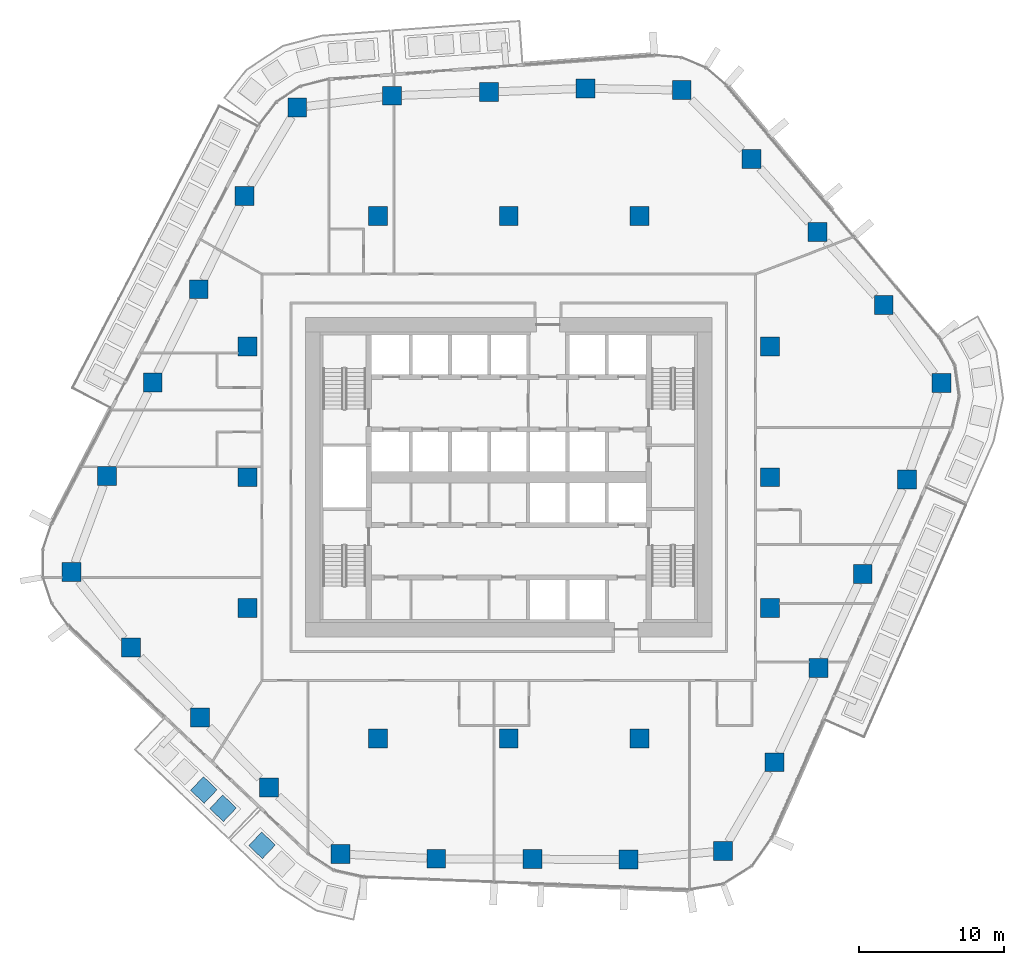
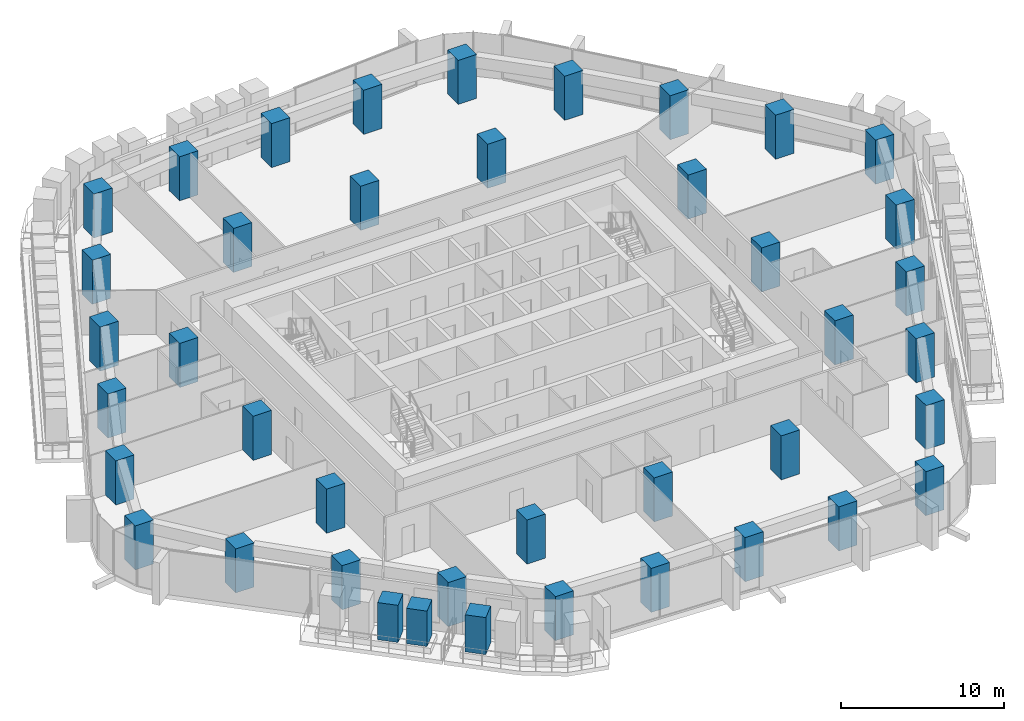
# One storey, part 1 of 23: 38 columns, 3 members.
"""IFC4 building model written with IfcOpenShell, lengths in metres."""

import ifcopenshell
import ifcopenshell.guid

model = None  # the IFC model being written
_history = None  # IfcOwnerHistory: only IFC2X3 demands one
_inside = {}  # id of a spatial element -> (the spatial element, [elements in it])
_under = {}  # id of a project, library or spatial element -> (it, [spatial elements below it])
_declared = {}  # id of a project -> (the project, [libraries it declares])
_typed = {}  # id of a type object -> (the type object, [elements of that type])
_made_of = {}  # id of a material, layer set ... -> (it, [elements and type objects made of it])


def new_model(schema):
    """Start an empty IFC model of exactly this schema.

    Asked for "IFC4X3", IfcOpenShell would pick the latest addendum, in which some entities
    have other attributes; the version numbers below select the first issue.
    IFC2X3 requires an IfcOwnerHistory on every rooted entity: one is made here for all.
    """
    global model, _history
    if schema == "IFC4X3":
        model = ifcopenshell.file(schema_version=(4, 3, 0, 0))
    else:
        model = ifcopenshell.file(schema=schema)
    _inside.clear()
    _under.clear()
    _declared.clear()
    _typed.clear()
    _made_of.clear()
    _history = None
    if model.schema == "IFC2X3":
        org = make("IfcOrganization", Name="unknown")
        user = make(
            "IfcPersonAndOrganization",
            ThePerson=make("IfcPerson", FamilyName="unknown"),
            TheOrganization=org,
        )
        app = make(
            "IfcApplication",
            ApplicationDeveloper=org,
            Version="unknown",
            ApplicationFullName="unknown",
            ApplicationIdentifier="unknown",
        )
        _history = make(
            "IfcOwnerHistory",
            OwningUser=user,
            OwningApplication=app,
            ChangeAction="ADDED",
            CreationDate=0,
        )
    return model


def make(cls, **values):
    """One entity of the class cls with the attributes given. An attribute that is None is left unset."""
    return model.create_entity(
        cls, **{name: value for name, value in values.items() if value is not None}
    )


def rooted(cls, **values):
    """An entity with a GlobalId (a new one), such as an element, a storey or a relation."""
    return make(cls, GlobalId=ifcopenshell.guid.new(), OwnerHistory=_history, **values)


def si_unit(unit_type, name, prefix=None):
    """IfcSIUnit, for example si_unit("LENGTHUNIT", "METRE", prefix="MILLI")."""
    return make("IfcSIUnit", UnitType=unit_type, Prefix=prefix, Name=name)


def assignment(units):
    """IfcUnitAssignment: the units of a project."""
    return None if units is None else make("IfcUnitAssignment", Units=units)


def point(xyz):
    """IfcCartesianPoint."""
    return None if xyz is None else make("IfcCartesianPoint", Coordinates=xyz)


def direction(xyz):
    """IfcDirection."""
    return None if xyz is None else make("IfcDirection", DirectionRatios=xyz)


def frame(location, z_axis=None, x_axis=None):
    """IfcAxis2Placement3D, a coordinate frame: its origin and axes. An axis left out is left unset."""
    return make(
        "IfcAxis2Placement3D",
        Location=point(location),
        Axis=direction(z_axis),
        RefDirection=direction(x_axis),
    )


def frame_2d(location, x_axis=None):
    """IfcAxis2Placement2D, a coordinate frame in the plane: its origin and x axis."""
    return make(
        "IfcAxis2Placement2D", Location=point(location), RefDirection=direction(x_axis)
    )


def origin():
    """The frame at (0, 0, 0) with its axes left unset."""
    return frame((0.0, 0.0, 0.0))


def origin_2d():
    """The frame at (0, 0) in the plane with its x axis left unset."""
    return frame_2d((0.0, 0.0))


def place(relative_to, where):
    """IfcLocalPlacement: puts the frame where relative to a parent placement (None: the world)."""
    return make(
        "IfcLocalPlacement", PlacementRelTo=relative_to, RelativePlacement=where
    )


def context(
    kind, dimensions, precision=None, world=None, true_north=None, identifier=None
):
    """IfcGeometricRepresentationContext, for example the 3D "Model" context."""
    return make(
        "IfcGeometricRepresentationContext",
        ContextIdentifier=identifier,
        ContextType=kind,
        CoordinateSpaceDimension=dimensions,
        Precision=precision,
        WorldCoordinateSystem=world,
        TrueNorth=true_north,
    )


def subcontext(parent, identifier, kind, view, scale=None):
    """IfcGeometricRepresentationSubContext, for example "Body" below "Model"."""
    return make(
        "IfcGeometricRepresentationSubContext",
        ContextIdentifier=identifier,
        ContextType=kind,
        ParentContext=parent,
        TargetScale=scale,
        TargetView=view,
    )


def project(units=None, contexts=None):
    """IfcProject with its units and contexts."""
    return rooted(
        "IfcProject",
        Name="project",
        RepresentationContexts=contexts,
        UnitsInContext=assignment(units),
    )


def spatial(cls, under=None, at=None, **own):
    """A site, building, storey or space (cls), placed at a placement, below another one or the project."""
    s = rooted(cls, ObjectPlacement=at, **own)
    if under is not None:
        _under.setdefault(under.id(), (under, []))[1].append(s)
    return s


def profile(cls, at=None, kind="AREA", **sizes):
    """A parametric profile (cls). Its sizes go by their IFC names, for example OverallWidth=200.0."""
    return make(cls, ProfileType=kind, Position=at, **sizes)


def rectangle(**sizes):
    """IfcRectangleProfileDef."""
    return profile("IfcRectangleProfileDef", **sizes)


def extrude(swept, where, along, depth):
    """IfcExtrudedAreaSolid: the profile swept, set in the frame where, extruded along a direction by depth."""
    return make(
        "IfcExtrudedAreaSolid",
        SweptArea=swept,
        Position=where,
        ExtrudedDirection=direction(along),
        Depth=depth,
    )


def shape(context_of_items, identifier, shape_type, items):
    """IfcShapeRepresentation: the items that make up one representation, for example the "Body"."""
    return make(
        "IfcShapeRepresentation",
        ContextOfItems=context_of_items,
        RepresentationIdentifier=identifier,
        RepresentationType=shape_type,
        Items=items,
    )


def material(Name=None, Category=None):
    """IfcMaterial."""
    return make("IfcMaterial", Name=Name, Category=Category)


def material_profile(
    of_material, cross_section, Name=None, Category=None, Priority=None
):
    """IfcMaterialProfile: a cross section and its material."""
    return make(
        "IfcMaterialProfile",
        Name=Name,
        Material=of_material,
        Profile=cross_section,
        Priority=Priority,
        Category=Category,
    )


def profile_set(profiles, Name=None, composite=None):
    """IfcMaterialProfileSet."""
    return make(
        "IfcMaterialProfileSet",
        Name=Name,
        MaterialProfiles=profiles,
        CompositeProfile=composite,
    )


def made_of(thing, what):
    """Note that an element or type object is made of a material, layer set ...; save() writes the relation."""
    if what is not None:
        _made_of.setdefault(what.id(), (what, []))[1].append(thing)
    return thing


def type_object(cls, material=None, **own):
    """A type object (cls), such as IfcWallType, which elements share."""
    return made_of(rooted(cls, **own), material)


def element(
    cls,
    number,
    at=None,
    inside=None,
    cuts=None,
    type_object=None,
    material=None,
    context=None,
    identifier="Body",
    shape_type=None,
    held_by="IfcProductDefinitionShape",
    body=None,
    shapes=None,
    **own,
):
    """One element of the class cls, such as IfcWall. Its Tag is "e" and its number.

    at: its placement. inside: the storey or other place that contains it. cuts: it is an
    opening in that element (IfcRelVoidsElement). A single representation is given by context,
    identifier, shape_type and body (its items); several are given by shapes. held_by: the class
    of the entity that holds the representations. save() writes the other relations.
    """
    e = rooted(cls, Tag="e%d" % number, ObjectPlacement=at, **own)
    if body is not None:
        shapes = [shape(context, identifier, shape_type, body)]
    if shapes is not None:
        e.Representation = make(held_by, Representations=shapes)
    if inside is not None:
        _inside.setdefault(inside.id(), (inside, []))[1].append(e)
    if cuts is not None:
        rooted(
            "IfcRelVoidsElement", RelatingBuildingElement=cuts, RelatedOpeningElement=e
        )
    if type_object is not None:
        _typed.setdefault(type_object.id(), (type_object, []))[1].append(e)
    return made_of(e, material)


def aggregate(whole, parts):
    """IfcRelAggregates: a whole, such as a stair, and the parts it consists of."""
    return rooted("IfcRelAggregates", RelatingObject=whole, RelatedObjects=parts)


def save(model, path):
    """Write the relations noted so far, then the file.

    IfcRelAggregates (storeys below a building ...), IfcRelContainedInSpatialStructure (elements
    in a storey), IfcRelDefinesByType, IfcRelAssociatesMaterial and IfcRelDeclares: one each for
    every whole, place, type object, material and project.
    """
    for whole, parts in _under.values():
        aggregate(whole, parts)
    for where, things in _inside.values():
        rooted(
            "IfcRelContainedInSpatialStructure",
            RelatedElements=things,
            RelatingStructure=where,
        )
    for kind, things in _typed.values():
        rooted("IfcRelDefinesByType", RelatedObjects=things, RelatingType=kind)
    for what, things in _made_of.values():
        rooted("IfcRelAssociatesMaterial", RelatedObjects=things, RelatingMaterial=what)
    for by, libraries in _declared.values():
        rooted("IfcRelDeclares", RelatingContext=by, RelatedDefinitions=libraries)
    model.write(path)


model = new_model("IFC4")

# Units and contexts
model_context = context("Model", 3, precision=1e-05, world=origin(), true_north=direction((0.0, 1.0)))
body_context = subcontext(model_context, "Body", "Model", "MODEL_VIEW")
ifc_project = project(units=[si_unit("LENGTHUNIT", "METRE"), si_unit("AREAUNIT", "SQUARE_METRE"), si_unit("VOLUMEUNIT", "CUBIC_METRE"), si_unit("PLANEANGLEUNIT", "RADIAN"), si_unit("MASSUNIT", "GRAM", prefix="KILO")], contexts=[model_context])

# Site, building, storey
site_placement = place(None, origin())
site = spatial("IfcSite", under=ifc_project, at=site_placement, CompositionType="ELEMENT")
building_placement = place(site_placement, origin())
building = spatial("IfcBuilding", under=site, at=building_placement, Name="Dongbaek Canopy Tower", CompositionType="ELEMENT")
storey_placement = place(building_placement, frame((0.0, 0.0, 135.89990234375)))
storey = spatial("IfcBuildingStorey", under=building, at=storey_placement, Name="L30", CompositionType="ELEMENT", Elevation=135.89990234375)

# Columns
ifc_material_1 = material(Name="Concrete C80", Category="concrete")
ifc_material_profile_1 = material_profile(ifc_material_1, rectangle(XDim=1.300048828125, YDim=1.300048828125, at=origin_2d()), Name="RC COLUMN 1300x1300 C80")
ifc_profile_set_1 = profile_set([ifc_material_profile_1], Name="Concrete C80")
column_type = type_object("IfcColumnType", Name="RC COLUMN 1300x1300 C80", PredefinedType="COLUMN", material=ifc_profile_set_1)
for number, where, z_axis, x_axis, name in (
    (1, (14.760009765625, -25.7490234375, 0.0), (0.0, 0.0, 1.0), (1.0, 0.0, 0.0), "COL:CZ2-01:L30"),
    (2, (8.258056640625, -26.34912109375, 0.0), (0.0, 0.0, 1.0), (1.0, 0.0, 0.0), "COL:CZ2-02:L30"),
    (3, (1.62890625, -26.319091796875, 0.0), (0.0, 0.0, 1.0), (1.0, 0.0, 0.0), "COL:CZ2-03:L30"),
    (4, (-5.0, -26.2900390625, 0.0), (0.0, 0.0, 1.0), (1.0, 0.0, 0.0), "COL:CZ2-04:L30"),
    (5, (-11.59912109375, -25.966064453125, 0.0), (0.0, 0.0, 1.0), (1.0, 0.0, 0.0), "COL:CZ2-05:L30"),
    (6, (-16.532958984375, -21.376953125, 0.0), (0.0, 0.0, 1.0), (1.0, 0.0, 0.0), "COL:CZ2-06:L30"),
    (7, (-21.277099609375, -16.56005859375, 0.0), (0.0, 0.0, 1.0), (1.0, 0.0, 0.0), "COL:CZ2-07:L30"),
    (8, (-26.02099609375, -11.742919921875, 0.0), (0.0, 0.0, 1.0), (1.0, 0.0, 0.0), "COL:CZ2-08:L30"),
    (9, (-30.125, -6.527099609375, 0.0), (0.0, 0.0, 1.0), (1.0, 0.0, 0.0), "COL:CZ2-09:L30"),
    (10, (-27.693115234375, 0.0830078125, 0.0), (0.0, 0.0, 1.0), (1.0, 0.0, 0.0), "COL:CZ2-10:L30"),
    (11, (-24.529052734375, 6.51806640625, 0.0), (0.0, 0.0, 1.0), (1.0, 0.0, 0.0), "COL:CZ2-11:L30"),
    (12, (-21.364013671875, 12.951904296875, 0.0), (0.0, 0.0, 1.0), (1.0, 0.0, 0.0), "COL:CZ2-12:L30"),
    (13, (-18.198974609375, 19.385986328125, 0.0), (0.0, 0.0, 1.0), (1.0, 0.0, 0.0), "COL:CZ2-13:L30"),
    (14, (-14.575927734375, 25.471923828125, 0.0), (0.0, 0.0, 1.0), (1.0, 0.0, 0.0), "COL:CZ2-14:L30"),
    (15, (-8.041015625, 26.2880859375, 0.0), (0.0, 0.0, 1.0), (1.0, 0.0, 0.0), "COL:CZ2-15:L30"),
    (16, (-1.3720703125, 26.5439453125, 0.0), (0.0, 0.0, 1.0), (1.0, 0.0, 0.0), "COL:CZ2-16:L30"),
    (17, (5.294921875, 26.798095703125, 0.0), (0.0, 0.0, 1.0), (1.0, 0.0, 0.0), "COL:CZ2-17:L30"),
    (18, (11.9169921875, 26.674072265625, 0.0), (0.0, 0.0, 1.0), (1.0, 0.0, 0.0), "COL:CZ2-18:L30"),
    (19, (16.718017578125, 21.93505859375, 0.0), (0.0, 0.0, 1.0), (1.0, 0.0, 0.0), "COL:CZ2-19:L30"),
    (20, (21.280029296875, 16.89794921875, 0.0), (0.0, 0.0, 1.0), (1.0, 0.0, 0.0), "COL:CZ2-20:L30"),
    (21, (25.841064453125, 11.862060546875, 0.0), (0.0, 0.0, 1.0), (1.0, 0.0, 0.0), "COL:CZ2-21:L30"),
    (22, (29.81103515625, 6.48193359375, 0.0), (0.0, 0.0, 1.0), (1.0, 0.0, 0.0), "COL:CZ2-22:L30"),
    (23, (27.43603515625, -0.1650390625, 0.0), (0.0, 0.0, 1.0), (1.0, 0.0, 0.0), "COL:CZ2-23:L30"),
    (24, (24.39599609375, -6.656982421875, 0.0), (0.0, 0.0, 1.0), (1.0, 0.0, 0.0), "COL:CZ2-24:L30"),
    (25, (21.35595703125, -13.14990234375, 0.0), (0.0, 0.0, 1.0), (1.0, 0.0, 0.0), "COL:CZ2-25:L30"),
    (26, (18.31494140625, -19.64208984375, 0.0), (0.0, 0.0, 1.0), (1.0, 0.0, 0.0), "COL:CZ2-26:L30"),
    (27, (-18.0, -9.0, 0.0), (0.0, 0.0, 1.0), (1.0, 0.0, 0.0), "COL:CIZ2-01:L30"),
    (28, (-18.0, 0.0, 0.0), (0.0, 0.0, 1.0), (1.0, 0.0, 0.0), "COL:CIZ2-02:L30"),
    (29, (-18.0, 9.0, 0.0), (0.0, 0.0, 1.0), (1.0, 0.0, 0.0), "COL:CIZ2-03:L30"),
    (30, (-9.0, -18.0, 0.0), (0.0, 0.0, 1.0), (1.0, 0.0, 0.0), "COL:CIZ2-04:L30"),
    (31, (-9.0, 18.0, 0.0), (0.0, 0.0, 1.0), (1.0, 0.0, 0.0), "COL:CIZ2-05:L30"),
    (32, (0.0, -18.0, 0.0), (0.0, 0.0, 1.0), (1.0, 0.0, 0.0), "COL:CIZ2-06:L30"),
    (33, (0.0, 18.0, 0.0), (0.0, 0.0, 1.0), (1.0, 0.0, 0.0), "COL:CIZ2-07:L30"),
    (34, (9.0, -18.0, 0.0), (0.0, 0.0, 1.0), (1.0, 0.0, 0.0), "COL:CIZ2-08:L30"),
    (35, (9.0, 18.0, 0.0), (0.0, 0.0, 1.0), (1.0, 0.0, 0.0), "COL:CIZ2-09:L30"),
    (36, (18.0, -9.0, 0.0), (0.0, 0.0, 1.0), (1.0, 0.0, 0.0), "COL:CIZ2-10:L30"),
    (37, (18.0, 0.0, 0.0), (0.0, 0.0, 1.0), (1.0, 0.0, 0.0), "COL:CIZ2-11:L30"),
    (38, (18.0, 9.0, 0.0), (0.0, 0.0, 1.0), (1.0, 0.0, 0.0), "COL:CIZ2-12:L30"),
):
    element("IfcColumn", number, at=place(storey_placement, frame(where, z_axis=z_axis, x_axis=x_axis)), inside=storey, type_object=column_type, Name=name, PredefinedType="COLUMN", context=body_context, shape_type="SweptSolid", body=[
        extrude(rectangle(XDim=1.300048828125, YDim=1.300048828125, at=origin_2d()), origin(), (0.0, 0.0, 1.0), 3.300048828125),
    ])

# Members
ifc_material_2 = material(Name="Concrete C40/50 planter mass with planting", Category="concrete")
ifc_material_profile_2 = material_profile(ifc_material_2, rectangle(XDim=1.300048828125, YDim=1.300048828125, at=origin_2d()), Name="Terrace PLANTER shrub mass 1300 x 1300")
ifc_profile_set_2 = profile_set([ifc_material_profile_2], Name="Concrete C40/50 planter mass with planting")
member_type = type_object("IfcMemberType", Name="Terrace PLANTER shrub mass 1300 x 1300", PredefinedType="USERDEFINED", material=ifc_profile_set_2)
member_1_placement = place(storey_placement, frame((-21.0107421875, -21.55322265625, 0.420166015625), z_axis=(0.0, 0.0, 1.0), x_axis=(-0.689301871769, -0.724474243555, 0.0)))
element("IfcMember", 39, at=member_1_placement, inside=storey, type_object=member_type, Name="Planter shrubs L30 3.3", ObjectType="PLANTER", PredefinedType="USERDEFINED", context=body_context, shape_type="SweptSolid", body=[
    extrude(rectangle(XDim=1.300048828125, YDim=1.300048828125, at=origin_2d()), origin(), (0.0, 0.0, 1.0), 2.780029296875),
])
member_2_placement = place(storey_placement, frame((-19.685546875, -22.81396484375, 0.420166015625), z_axis=(0.0, 0.0, 1.0), x_axis=(-0.689301871769, -0.724474243555, 0.0)))
element("IfcMember", 40, at=member_2_placement, inside=storey, type_object=member_type, Name="Planter shrubs L30 3.4", ObjectType="PLANTER", PredefinedType="USERDEFINED", context=body_context, shape_type="SweptSolid", body=[
    extrude(rectangle(XDim=1.300048828125, YDim=1.300048828125, at=origin_2d()), origin(), (0.0, 0.0, 1.0), 2.64990234375),
])
member_3_placement = place(storey_placement, frame((-17.00048828125, -25.3662109375, 0.420166015625), z_axis=(0.0, 0.0, 1.0), x_axis=(-0.687975835492, -0.72573359422, 0.0)))
element("IfcMember", 41, at=member_3_placement, inside=storey, type_object=member_type, Name="Planter shrubs L30 7.1", ObjectType="PLANTER", PredefinedType="USERDEFINED", context=body_context, shape_type="SweptSolid", body=[
    extrude(rectangle(XDim=1.300048828125, YDim=1.300048828125, at=origin_2d()), origin(), (0.0, 0.0, 1.0), 2.77001953125),
])

save(model, "model.ifc")
